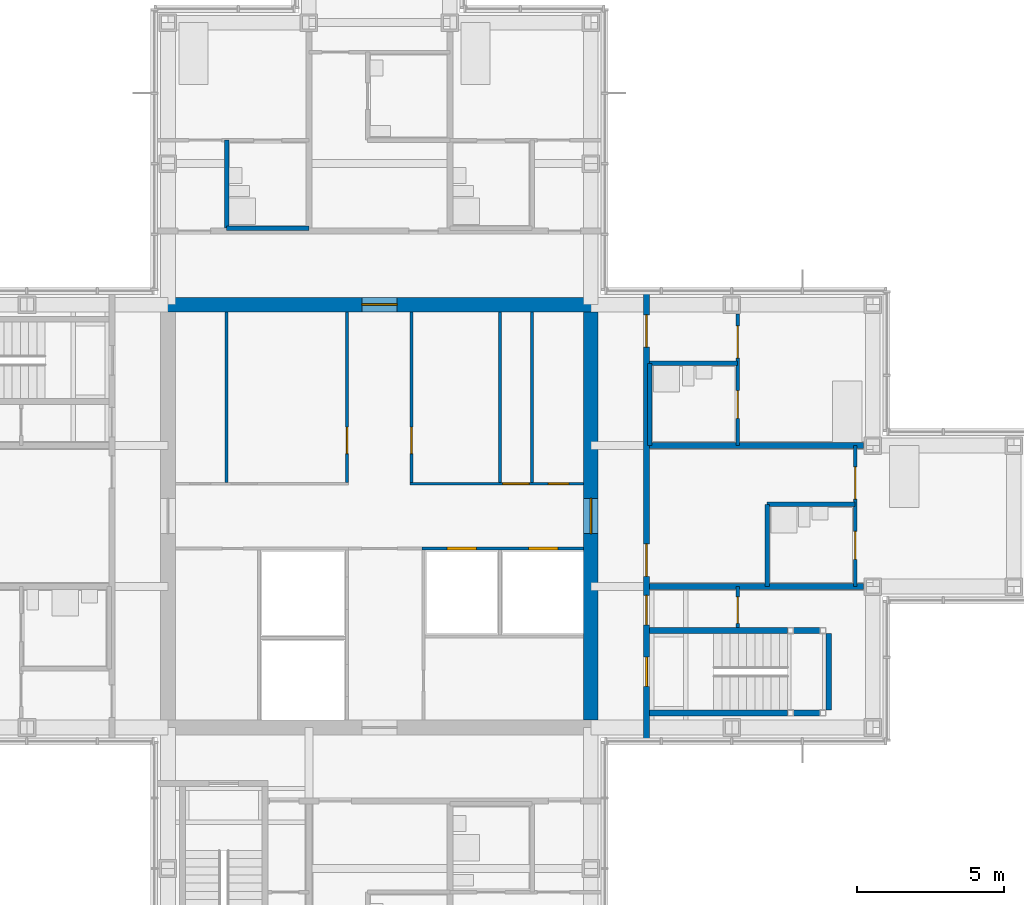
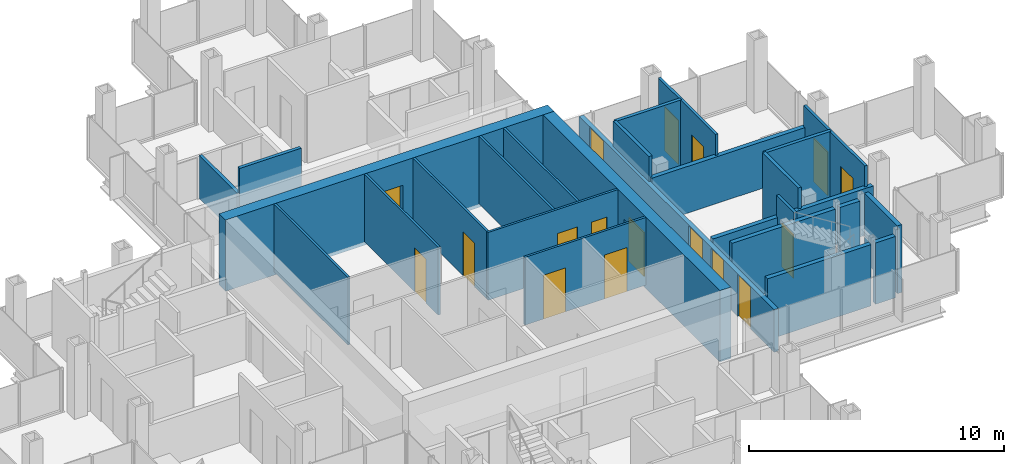
# One storey, part 13 of 17: 26 walls, 17 doors, 17 openings.
"""IFC4 building model written with IfcOpenShell, lengths in metres."""

import ifcopenshell
import ifcopenshell.guid

model = None  # the IFC model being written
_history = None  # IfcOwnerHistory: only IFC2X3 demands one
_inside = {}  # id of a spatial element -> (the spatial element, [elements in it])
_under = {}  # id of a project, library or spatial element -> (it, [spatial elements below it])
_declared = {}  # id of a project -> (the project, [libraries it declares])
_typed = {}  # id of a type object -> (the type object, [elements of that type])
_made_of = {}  # id of a material, layer set ... -> (it, [elements and type objects made of it])


def new_model(schema):
    """Start an empty IFC model of exactly this schema.

    Asked for "IFC4X3", IfcOpenShell would pick the latest addendum, in which some entities
    have other attributes; the version numbers below select the first issue.
    IFC2X3 requires an IfcOwnerHistory on every rooted entity: one is made here for all.
    """
    global model, _history
    if schema == "IFC4X3":
        model = ifcopenshell.file(schema_version=(4, 3, 0, 0))
    else:
        model = ifcopenshell.file(schema=schema)
    _inside.clear()
    _under.clear()
    _declared.clear()
    _typed.clear()
    _made_of.clear()
    _history = None
    if model.schema == "IFC2X3":
        org = make("IfcOrganization", Name="unknown")
        user = make(
            "IfcPersonAndOrganization",
            ThePerson=make("IfcPerson", FamilyName="unknown"),
            TheOrganization=org,
        )
        app = make(
            "IfcApplication",
            ApplicationDeveloper=org,
            Version="unknown",
            ApplicationFullName="unknown",
            ApplicationIdentifier="unknown",
        )
        _history = make(
            "IfcOwnerHistory",
            OwningUser=user,
            OwningApplication=app,
            ChangeAction="ADDED",
            CreationDate=0,
        )
    return model


def make(cls, **values):
    """One entity of the class cls with the attributes given. An attribute that is None is left unset."""
    return model.create_entity(
        cls, **{name: value for name, value in values.items() if value is not None}
    )


def rooted(cls, **values):
    """An entity with a GlobalId (a new one), such as an element, a storey or a relation."""
    return make(cls, GlobalId=ifcopenshell.guid.new(), OwnerHistory=_history, **values)


def si_unit(unit_type, name, prefix=None):
    """IfcSIUnit, for example si_unit("LENGTHUNIT", "METRE", prefix="MILLI")."""
    return make("IfcSIUnit", UnitType=unit_type, Prefix=prefix, Name=name)


def assignment(units):
    """IfcUnitAssignment: the units of a project."""
    return None if units is None else make("IfcUnitAssignment", Units=units)


def point(xyz):
    """IfcCartesianPoint."""
    return None if xyz is None else make("IfcCartesianPoint", Coordinates=xyz)


def direction(xyz):
    """IfcDirection."""
    return None if xyz is None else make("IfcDirection", DirectionRatios=xyz)


def frame(location, z_axis=None, x_axis=None):
    """IfcAxis2Placement3D, a coordinate frame: its origin and axes. An axis left out is left unset."""
    return make(
        "IfcAxis2Placement3D",
        Location=point(location),
        Axis=direction(z_axis),
        RefDirection=direction(x_axis),
    )


def frame_2d(location, x_axis=None):
    """IfcAxis2Placement2D, a coordinate frame in the plane: its origin and x axis."""
    return make(
        "IfcAxis2Placement2D", Location=point(location), RefDirection=direction(x_axis)
    )


def origin():
    """The frame at (0, 0, 0) with its axes left unset."""
    return frame((0.0, 0.0, 0.0))


def place(relative_to, where):
    """IfcLocalPlacement: puts the frame where relative to a parent placement (None: the world)."""
    return make(
        "IfcLocalPlacement", PlacementRelTo=relative_to, RelativePlacement=where
    )


def context(
    kind, dimensions, precision=None, world=None, true_north=None, identifier=None
):
    """IfcGeometricRepresentationContext, for example the 3D "Model" context."""
    return make(
        "IfcGeometricRepresentationContext",
        ContextIdentifier=identifier,
        ContextType=kind,
        CoordinateSpaceDimension=dimensions,
        Precision=precision,
        WorldCoordinateSystem=world,
        TrueNorth=true_north,
    )


def subcontext(parent, identifier, kind, view, scale=None):
    """IfcGeometricRepresentationSubContext, for example "Body" below "Model"."""
    return make(
        "IfcGeometricRepresentationSubContext",
        ContextIdentifier=identifier,
        ContextType=kind,
        ParentContext=parent,
        TargetScale=scale,
        TargetView=view,
    )


def project(units=None, contexts=None):
    """IfcProject with its units and contexts."""
    return rooted(
        "IfcProject",
        Name="project",
        RepresentationContexts=contexts,
        UnitsInContext=assignment(units),
    )


def spatial(cls, under=None, at=None, **own):
    """A site, building, storey or space (cls), placed at a placement, below another one or the project."""
    s = rooted(cls, ObjectPlacement=at, **own)
    if under is not None:
        _under.setdefault(under.id(), (under, []))[1].append(s)
    return s


def profile(cls, at=None, kind="AREA", **sizes):
    """A parametric profile (cls). Its sizes go by their IFC names, for example OverallWidth=200.0."""
    return make(cls, ProfileType=kind, Position=at, **sizes)


def rectangle(**sizes):
    """IfcRectangleProfileDef."""
    return profile("IfcRectangleProfileDef", **sizes)


def extrude(swept, where, along, depth):
    """IfcExtrudedAreaSolid: the profile swept, set in the frame where, extruded along a direction by depth."""
    return make(
        "IfcExtrudedAreaSolid",
        SweptArea=swept,
        Position=where,
        ExtrudedDirection=direction(along),
        Depth=depth,
    )


def shape(context_of_items, identifier, shape_type, items):
    """IfcShapeRepresentation: the items that make up one representation, for example the "Body"."""
    return make(
        "IfcShapeRepresentation",
        ContextOfItems=context_of_items,
        RepresentationIdentifier=identifier,
        RepresentationType=shape_type,
        Items=items,
    )


def material(Name=None, Category=None):
    """IfcMaterial."""
    return make("IfcMaterial", Name=Name, Category=Category)


def layer(
    of_material, thickness, ventilated=None, Name=None, Category=None, Priority=None
):
    """IfcMaterialLayer: one layer of a wall or slab, of a material (None: an air gap)."""
    return make(
        "IfcMaterialLayer",
        Material=of_material,
        LayerThickness=thickness,
        IsVentilated=ventilated,
        Name=Name,
        Category=Category,
        Priority=Priority,
    )


def layer_set(layers, Name=None):
    """IfcMaterialLayerSet."""
    return make("IfcMaterialLayerSet", MaterialLayers=layers, LayerSetName=Name)


def made_of(thing, what):
    """Note that an element or type object is made of a material, layer set ...; save() writes the relation."""
    if what is not None:
        _made_of.setdefault(what.id(), (what, []))[1].append(thing)
    return thing


def type_object(cls, material=None, **own):
    """A type object (cls), such as IfcWallType, which elements share."""
    return made_of(rooted(cls, **own), material)


def element(
    cls,
    number,
    at=None,
    inside=None,
    cuts=None,
    type_object=None,
    material=None,
    context=None,
    identifier="Body",
    shape_type=None,
    held_by="IfcProductDefinitionShape",
    body=None,
    shapes=None,
    **own,
):
    """One element of the class cls, such as IfcWall. Its Tag is "e" and its number.

    at: its placement. inside: the storey or other place that contains it. cuts: it is an
    opening in that element (IfcRelVoidsElement). A single representation is given by context,
    identifier, shape_type and body (its items); several are given by shapes. held_by: the class
    of the entity that holds the representations. save() writes the other relations.
    """
    e = rooted(cls, Tag="e%d" % number, ObjectPlacement=at, **own)
    if body is not None:
        shapes = [shape(context, identifier, shape_type, body)]
    if shapes is not None:
        e.Representation = make(held_by, Representations=shapes)
    if inside is not None:
        _inside.setdefault(inside.id(), (inside, []))[1].append(e)
    if cuts is not None:
        rooted(
            "IfcRelVoidsElement", RelatingBuildingElement=cuts, RelatedOpeningElement=e
        )
    if type_object is not None:
        _typed.setdefault(type_object.id(), (type_object, []))[1].append(e)
    return made_of(e, material)


def fill(opening, filler):
    """IfcRelFillsElement: the door or window that sits in an opening."""
    return rooted(
        "IfcRelFillsElement",
        RelatingOpeningElement=opening,
        RelatedBuildingElement=filler,
    )


def aggregate(whole, parts):
    """IfcRelAggregates: a whole, such as a stair, and the parts it consists of."""
    return rooted("IfcRelAggregates", RelatingObject=whole, RelatedObjects=parts)


def save(model, path):
    """Write the relations noted so far, then the file.

    IfcRelAggregates (storeys below a building ...), IfcRelContainedInSpatialStructure (elements
    in a storey), IfcRelDefinesByType, IfcRelAssociatesMaterial and IfcRelDeclares: one each for
    every whole, place, type object, material and project.
    """
    for whole, parts in _under.values():
        aggregate(whole, parts)
    for where, things in _inside.values():
        rooted(
            "IfcRelContainedInSpatialStructure",
            RelatedElements=things,
            RelatingStructure=where,
        )
    for kind, things in _typed.values():
        rooted("IfcRelDefinesByType", RelatedObjects=things, RelatingType=kind)
    for what, things in _made_of.values():
        rooted("IfcRelAssociatesMaterial", RelatedObjects=things, RelatingMaterial=what)
    for by, libraries in _declared.values():
        rooted("IfcRelDeclares", RelatingContext=by, RelatedDefinitions=libraries)
    model.write(path)


model = new_model("IFC4")

# Units and contexts
model_context = context("Model", 3, precision=1e-05, world=origin(), true_north=direction((0.0, 1.0)))
body_context = subcontext(model_context, "Body", "Model", "MODEL_VIEW")
ifc_project = project(units=[si_unit("LENGTHUNIT", "METRE"), si_unit("AREAUNIT", "SQUARE_METRE"), si_unit("VOLUMEUNIT", "CUBIC_METRE"), si_unit("PLANEANGLEUNIT", "RADIAN"), si_unit("MASSUNIT", "GRAM", prefix="KILO")], contexts=[model_context])

# Site, building, storey
site_placement = place(None, origin())
site = spatial("IfcSite", under=ifc_project, at=site_placement, CompositionType="ELEMENT")
building_placement = place(site_placement, origin())
building = spatial("IfcBuilding", under=site, at=building_placement, Name="Kvirike Care Tower", CompositionType="ELEMENT")
storey_placement = place(building_placement, frame((0.0, 0.0, 186.5)))
storey = spatial("IfcBuildingStorey", under=building, at=storey_placement, Name="L51", CompositionType="ELEMENT", Elevation=186.5)

# Walls
ifc_material_1 = material(Name="Moisture-resistant board partition", Category="gypsum")
ifc_layer_1 = layer(ifc_material_1, 0.14990234375)
ifc_layer_set_1 = layer_set([ifc_layer_1], Name="BATHROOM WALL 150")
wall_type_1 = type_object("IfcWallType", Name="BATHROOM WALL 150", PredefinedType="PARTITIONING", material=ifc_layer_set_1)
wall_1_placement = place(storey_placement, frame((16.39990234375, 48.800048828125, 0.0), z_axis=(0.0, 0.0, 1.0), x_axis=(0.0, -1.0, 0.0)))
element("IfcWall", 1, at=wall_1_placement, inside=storey, type_object=wall_type_1, Name="Bathroom Wall 150 L51", PredefinedType="PARTITIONING", context=body_context, shape_type="SweptSolid", body=[
    extrude(rectangle(XDim=3.0, YDim=0.14990234375, at=frame_2d((1.5, 0.0))), origin(), (0.0, 0.0, 1.0), 2.0400390625),
])
wall_2_placement = place(storey_placement, frame((19.199951171875, 45.800048828125, 0.0), z_axis=(0.0, 0.0, 1.0), x_axis=(-1.0, 0.0, 0.0)))
element("IfcWall", 2, at=wall_2_placement, inside=storey, type_object=wall_type_1, Name="Bathroom Wall 150 L51", PredefinedType="PARTITIONING", context=body_context, shape_type="SweptSolid", body=[
    extrude(rectangle(XDim=2.800048828125, YDim=0.14990234375, at=frame_2d((1.39990234375, 0.0))), origin(), (0.0, 0.0, 1.0), 3.25),
])
wall_3_placement = place(storey_placement, frame((37.800048828125, 36.39990234375, 0.0), z_axis=(0.0, 0.0, 1.0), x_axis=(-1.0, 0.0, 0.0)))
element("IfcWall", 3, at=wall_3_placement, inside=storey, type_object=wall_type_1, Name="Bathroom Wall 150 L51", PredefinedType="PARTITIONING", context=body_context, shape_type="SweptSolid", body=[
    extrude(rectangle(XDim=3.0, YDim=0.14990234375, at=frame_2d((1.5, 0.0))), origin(), (0.0, 0.0, 1.0), 3.25),
])
wall_4_placement = place(storey_placement, frame((34.800048828125, 33.60009765625, 0.0), z_axis=(0.0, 0.0, 1.0), x_axis=(0.0, 1.0, 0.0)))
element("IfcWall", 4, at=wall_4_placement, inside=storey, type_object=wall_type_1, Name="Bathroom Wall 150 L51", PredefinedType="PARTITIONING", context=body_context, shape_type="SweptSolid", body=[
    extrude(rectangle(XDim=2.7998046875, YDim=0.14990234375, at=frame_2d((1.39990234375, 0.0))), origin(), (0.0, 0.0, 1.0), 3.25),
])
wall_5_placement = place(storey_placement, frame((33.800048828125, 41.199951171875, 0.0), z_axis=(0.0, 0.0, 1.0), x_axis=(-1.0, 0.0, 0.0)))
element("IfcWall", 5, at=wall_5_placement, inside=storey, type_object=wall_type_1, Name="Bathroom Wall 150 L51", PredefinedType="PARTITIONING", context=body_context, shape_type="SweptSolid", body=[
    extrude(rectangle(XDim=3.0, YDim=0.14990234375, at=frame_2d((1.5, 0.0))), origin(), (0.0, 0.0, 1.0), 3.25),
])
wall_6_placement = place(storey_placement, frame((30.800048828125, 38.39990234375, 0.0), z_axis=(0.0, 0.0, 1.0), x_axis=(0.0, 1.0, 0.0)))
element("IfcWall", 6, at=wall_6_placement, inside=storey, type_object=wall_type_1, Name="Bathroom Wall 150 L51", PredefinedType="PARTITIONING", context=body_context, shape_type="SweptSolid", body=[
    extrude(rectangle(XDim=2.800048828125, YDim=0.14990234375, at=frame_2d((1.39990234375, 0.0))), origin(), (0.0, 0.0, 1.0), 3.25),
])

# Wall, opening, door
ifc_material_2 = material(Name="Concrete C45/55", Category="concrete")
ifc_layer_2 = layer(ifc_material_2, 0.5)
ifc_layer_set_2 = layer_set([ifc_layer_2], Name="CORE WALL 500 C45-55")
wall_type_2 = type_object("IfcWallType", Name="CORE WALL 500 C45-55", PredefinedType="SHEAR", material=ifc_layer_set_2)
wall_7_placement = place(storey_placement, frame((29.050048828125, 43.199951171875, -0.169921875), z_axis=(0.0, 0.0, 1.0), x_axis=(-1.0, 0.0, 0.0)))
wall_7 = element("IfcWall", 7, at=wall_7_placement, inside=storey, type_object=wall_type_2, Name="Core wall N L51", PredefinedType="SHEAR", context=body_context, shape_type="SweptSolid", body=[
    extrude(rectangle(XDim=14.900146484375, YDim=0.5, at=frame_2d((7.4501953125, 0.0))), origin(), (0.0, 0.0, 1.0), 3.419921875),
])
opening_1_placement = place(wall_7_placement, frame((6.85009765625, 0.0, 0.169921875)))
opening_1 = element("IfcOpeningElement", 8, at=opening_1_placement, cuts=wall_7, Name="Opening 51-053", PredefinedType="OPENING", context=body_context, shape_type="SweptSolid", body=[
    extrude(rectangle(XDim=1.199951171875, YDim=2.10009765625, at=frame_2d((0.60009765625, 1.050048828125))), frame((0.0, 0.260498046875, 0.0), z_axis=(0.0, -1.0, 0.0), x_axis=(1.0, 0.0, 0.0)), (0.0, 0.0, 1.0), 0.52099609375),
])
ifc_material_3 = material(Name="Timber door set", Category="wood")
door_type_1 = type_object("IfcDoorType", Name="CORE DOOR 1200", OperationType="SINGLE_SWING_LEFT", PredefinedType="DOOR", material=ifc_material_3)
door_1_placement = place(opening_1_placement, origin())
door_1 = element("IfcDoor", 9, at=door_1_placement, inside=storey, type_object=door_type_1, Name="Core door N L51", OperationType="SINGLE_SWING_LEFT", OverallHeight=2.10009765625, OverallWidth=1.199951171875, PredefinedType="DOOR", context=body_context, shape_type="SweptSolid", body=[
    extrude(rectangle(XDim=1.199951171875, YDim=2.10009765625, at=frame_2d((0.60009765625, 1.050048828125))), frame((0.0, 0.02685546875, 0.0), z_axis=(0.0, -1.0, 0.0), x_axis=(1.0, 0.0, 0.0)), (0.0, 0.0, 1.0), 0.053955078125),
])
fill(opening_1, door_1)

wall_8_placement = place(storey_placement, frame((28.800048828125, 29.050048828125, -0.169921875), z_axis=(0.0, 0.0, 1.0), x_axis=(0.0, 1.0, 0.0)))
wall_8 = element("IfcWall", 10, at=wall_8_placement, inside=storey, type_object=wall_type_2, Name="Core wall E L51", PredefinedType="SHEAR", context=body_context, shape_type="SweptSolid", body=[
    extrude(rectangle(XDim=13.89990234375, YDim=0.5, at=frame_2d((6.949951171875, 0.0))), origin(), (0.0, 0.0, 1.0), 3.419921875),
])
opening_2_placement = place(wall_8_placement, frame((6.35009765625, 0.0, 0.169921875)))
opening_2 = element("IfcOpeningElement", 11, at=opening_2_placement, cuts=wall_8, Name="Opening 51-052", PredefinedType="OPENING", context=body_context, shape_type="SweptSolid", body=[
    extrude(rectangle(XDim=1.199951171875, YDim=2.10009765625, at=frame_2d((0.60009765625, 1.050048828125))), frame((0.0, 0.260498046875, 0.0), z_axis=(0.0, -1.0, 0.0), x_axis=(1.0, 0.0, 0.0)), (0.0, 0.0, 1.0), 0.52099609375),
])
door_2_placement = place(opening_2_placement, origin())
door_2 = element("IfcDoor", 12, at=door_2_placement, inside=storey, type_object=door_type_1, Name="Core door E L51", OperationType="SINGLE_SWING_LEFT", OverallHeight=2.10009765625, OverallWidth=1.199951171875, PredefinedType="DOOR", context=body_context, shape_type="SweptSolid", body=[
    extrude(rectangle(XDim=1.199951171875, YDim=2.10009765625, at=frame_2d((0.60009765625, 1.050048828125))), frame((0.0, 0.02685546875, 0.0), z_axis=(0.0, -1.0, 0.0), x_axis=(1.0, 0.0, 0.0)), (0.0, 0.0, 1.0), 0.053955078125),
])
fill(opening_2, door_2)

# Wall, openings, doors
ifc_material_4 = material(Name="Plasterboard corridor wall", Category="gypsum")
ifc_layer_3 = layer(ifc_material_4, 0.199951171875)
ifc_layer_set_3 = layer_set([ifc_layer_3], Name="CORRIDOR WALL 200")
wall_type_3 = type_object("IfcWallType", Name="CORRIDOR WALL 200", PredefinedType="PARTITIONING", material=ifc_layer_set_3)
wall_9_placement = place(storey_placement, frame((30.699951171875, 28.35009765625, 0.0), z_axis=(0.0, 0.0, 1.0), x_axis=(0.0, 1.0, 0.0)))
wall_9 = element("IfcWall", 13, at=wall_9_placement, inside=storey, type_object=wall_type_3, Name="Corridor Wall 200 L51", PredefinedType="PARTITIONING", context=body_context, shape_type="SweptSolid", body=[
    extrude(rectangle(XDim=15.2998046875, YDim=0.199951171875, at=frame_2d((7.64990234375, 0.0))), origin(), (0.0, 0.0, 1.0), 2.0400390625),
])
opening_3_placement = place(wall_9_placement, frame((1.85009765625, 0.0, 0.0)))
opening_3 = element("IfcOpeningElement", 14, at=opening_3_placement, cuts=wall_9, Name="Opening 51-033", PredefinedType="OPENING", context=body_context, shape_type="SweptSolid", body=[
    extrude(rectangle(XDim=1.0, YDim=2.0, at=frame_2d((0.5, 1.0))), frame((0.0, 0.110595703125, 0.0), z_axis=(0.0, -1.0, 0.0), x_axis=(1.0, 0.0, 0.0)), (0.0, 0.0, 1.0), 0.220947265625),
])
opening_4_placement = place(wall_9_placement, frame((3.949951171875, 0.0, 0.0)))
opening_4 = element("IfcOpeningElement", 15, at=opening_4_placement, cuts=wall_9, Name="Opening 51-034", PredefinedType="OPENING", context=body_context, shape_type="SweptSolid", body=[
    extrude(rectangle(XDim=1.0, YDim=2.0, at=frame_2d((0.5, 1.0))), frame((0.0, 0.110595703125, 0.0), z_axis=(0.0, -1.0, 0.0), x_axis=(1.0, 0.0, 0.0)), (0.0, 0.0, 1.0), 0.220947265625),
])
opening_5_placement = place(wall_9_placement, frame((5.60009765625, 0.0, 0.0)))
opening_5 = element("IfcOpeningElement", 16, at=opening_5_placement, cuts=wall_9, Name="Opening 51-035", PredefinedType="OPENING", context=body_context, shape_type="SweptSolid", body=[
    extrude(rectangle(XDim=1.10009765625, YDim=2.0, at=frame_2d((0.550048828125, 1.0))), frame((0.0, 0.110595703125, 0.0), z_axis=(0.0, -1.0, 0.0), x_axis=(1.0, 0.0, 0.0)), (0.0, 0.0, 1.0), 0.220947265625),
])
opening_6_placement = place(wall_9_placement, frame((13.39990234375, 0.0, 0.0)))
opening_6 = element("IfcOpeningElement", 17, at=opening_6_placement, cuts=wall_9, Name="Opening 51-036", PredefinedType="OPENING", context=body_context, shape_type="SweptSolid", body=[
    extrude(rectangle(XDim=1.10009765625, YDim=2.0, at=frame_2d((0.550048828125, 1.0))), frame((0.0, 0.110595703125, 0.0), z_axis=(0.0, -1.0, 0.0), x_axis=(1.0, 0.0, 0.0)), (0.0, 0.0, 1.0), 0.220947265625),
])
ifc_material_5 = material(Name="Timber door set", Category="wood")
door_type_2 = type_object("IfcDoorType", Name="BEDROOM ENTRANCE DOOR 1100 x 2000", OperationType="SINGLE_SWING_LEFT", PredefinedType="DOOR", material=ifc_material_5)
door_3_placement = place(opening_5_placement, frame((1.10009765625, 0.0, 0.0), z_axis=(0.0, 0.0, 1.0), x_axis=(-1.0, 0.0, 0.0)))
door_3 = element("IfcDoor", 18, at=door_3_placement, inside=storey, type_object=door_type_2, Name="Memory care bedroom entrance", OperationType="SINGLE_SWING_LEFT", OverallHeight=2.0, OverallWidth=1.10009765625, PredefinedType="DOOR", context=body_context, shape_type="SweptSolid", body=[
    extrude(rectangle(XDim=1.10009765625, YDim=2.0, at=frame_2d((0.550048828125, 1.0))), frame((0.0, 0.02685546875, 0.0), z_axis=(0.0, -1.0, 0.0), x_axis=(1.0, 0.0, 0.0)), (0.0, 0.0, 1.0), 0.053955078125),
])
fill(opening_5, door_3)
door_4_placement = place(opening_6_placement, frame((1.10009765625, 0.0, 0.0), z_axis=(0.0, 0.0, 1.0), x_axis=(-1.0, 0.0, 0.0)))
door_4 = element("IfcDoor", 19, at=door_4_placement, inside=storey, type_object=door_type_2, Name="Memory care bedroom entrance", OperationType="SINGLE_SWING_RIGHT", OverallHeight=2.0, OverallWidth=1.10009765625, PredefinedType="DOOR", context=body_context, shape_type="SweptSolid", body=[
    extrude(rectangle(XDim=1.10009765625, YDim=2.0, at=frame_2d((0.550048828125, 1.0))), frame((0.0, 0.02685546875, 0.0), z_axis=(0.0, -1.0, 0.0), x_axis=(1.0, 0.0, 0.0)), (0.0, 0.0, 1.0), 0.053955078125),
])
fill(opening_6, door_4)
ifc_material_6 = material(Name="Timber door set", Category="wood")
door_type_3 = type_object("IfcDoorType", Name="FLAT ENTRANCE DOOR 1000 x 2000", OperationType="SINGLE_SWING_LEFT", PredefinedType="DOOR", material=ifc_material_6)
door_5_placement = place(opening_4_placement, frame((1.0, 0.0, 0.0), z_axis=(0.0, 0.0, 1.0), x_axis=(-1.0, 0.0, 0.0)))
door_5 = element("IfcDoor", 20, at=door_5_placement, inside=storey, type_object=door_type_3, Name="Activity room entrance", OperationType="SINGLE_SWING_LEFT", OverallHeight=2.0, OverallWidth=1.0, PredefinedType="DOOR", context=body_context, shape_type="SweptSolid", body=[
    extrude(rectangle(XDim=1.0, YDim=2.0, at=frame_2d((0.5, 1.0))), frame((0.0, 0.02685546875, 0.0), z_axis=(0.0, -1.0, 0.0), x_axis=(1.0, 0.0, 0.0)), (0.0, 0.0, 1.0), 0.053955078125),
])
fill(opening_4, door_5)
ifc_material_7 = material(Name="Timber door set", Category="wood")
door_type_4 = type_object("IfcDoorType", Name="STAIR DOOR 1000 x 2000", OperationType="SINGLE_SWING_LEFT", PredefinedType="DOOR", material=ifc_material_7)
door_6_placement = place(opening_3_placement, frame((1.0, 0.0, 0.0), z_axis=(0.0, 0.0, 1.0), x_axis=(-1.0, 0.0, 0.0)))
door_6 = element("IfcDoor", 21, at=door_6_placement, inside=storey, type_object=door_type_4, Name="Stair 2 door", OperationType="SINGLE_SWING_LEFT", OverallHeight=2.0, OverallWidth=1.0, PredefinedType="DOOR", context=body_context, shape_type="SweptSolid", body=[
    extrude(rectangle(XDim=1.0, YDim=2.0, at=frame_2d((0.5, 1.0))), frame((0.0, 0.031982421875, 0.0), z_axis=(0.0, -1.0, 0.0), x_axis=(1.0, 0.0, 0.0)), (0.0, 0.0, 1.0), 0.06396484375),
])
fill(opening_3, door_6)

# Wall, opening, door
ifc_material_8 = material(Name="Plasterboard partition", Category="gypsum")
ifc_layer_4 = layer(ifc_material_8, 0.1201171875)
ifc_layer_set_4 = layer_set([ifc_layer_4], Name="PARTITION 120")
wall_type_4 = type_object("IfcWallType", Name="PARTITION 120", PredefinedType="PARTITIONING", material=ifc_layer_set_4)
wall_10_placement = place(storey_placement, frame((33.800048828125, 32.199951171875, 0.0), z_axis=(0.0, 0.0, 1.0), x_axis=(0.0, 1.0, 0.0)))
wall_10 = element("IfcWall", 22, at=wall_10_placement, inside=storey, type_object=wall_type_4, Name="Partition 120 L51", PredefinedType="PARTITIONING", context=body_context, shape_type="SweptSolid", body=[
    extrude(rectangle(XDim=1.400146484375, YDim=0.1201171875, at=frame_2d((0.7001953125, 0.0))), origin(), (0.0, 0.0, 1.0), 3.25),
])
opening_7_placement = place(wall_10_placement, frame((0.14990234375, 0.0, 0.0)))
opening_7 = element("IfcOpeningElement", 23, at=opening_7_placement, cuts=wall_10, Name="Opening 51-028", PredefinedType="OPENING", context=body_context, shape_type="SweptSolid", body=[
    extrude(rectangle(XDim=0.89990234375, YDim=2.10009765625, at=frame_2d((0.449951171875, 1.050048828125))), frame((0.0, 0.070556640625, 0.0), z_axis=(0.0, -1.0, 0.0), x_axis=(1.0, 0.0, 0.0)), (0.0, 0.0, 1.0), 0.14111328125),
])
ifc_material_9 = material(Name="Timber door set", Category="wood")
door_type_5 = type_object("IfcDoorType", Name="INTERNAL DOOR 900", OperationType="SINGLE_SWING_LEFT", PredefinedType="DOOR", material=ifc_material_9)
door_7_placement = place(opening_7_placement, origin())
door_7 = element("IfcDoor", 24, at=door_7_placement, inside=storey, type_object=door_type_5, Name="Activity room door", OperationType="SINGLE_SWING_RIGHT", OverallHeight=2.10009765625, OverallWidth=0.89990234375, PredefinedType="DOOR", context=body_context, shape_type="SweptSolid", body=[
    extrude(rectangle(XDim=0.89990234375, YDim=2.10009765625, at=frame_2d((0.449951171875, 1.050048828125))), frame((0.0, 0.02197265625, 0.0), z_axis=(0.0, -1.0, 0.0), x_axis=(1.0, 0.0, 0.0)), (0.0, 0.0, 1.0), 0.0439453125),
])
fill(opening_7, door_7)

# Wall, openings, doors
wall_11_placement = place(storey_placement, frame((37.800048828125, 33.60009765625, 0.0), z_axis=(0.0, 0.0, 1.0), x_axis=(0.0, 1.0, 0.0)))
wall_11 = element("IfcWall", 25, at=wall_11_placement, inside=storey, type_object=wall_type_4, Name="Partition 120 L51", PredefinedType="PARTITIONING", context=body_context, shape_type="SweptSolid", body=[
    extrude(rectangle(XDim=4.7998046875, YDim=0.1201171875, at=frame_2d((2.39990234375, 0.0))), origin(), (0.0, 0.0, 1.0), 3.25),
])
opening_8_placement = place(wall_11_placement, frame((2.97509765625, 0.0, 0.0)))
opening_8 = element("IfcOpeningElement", 26, at=opening_8_placement, cuts=wall_11, Name="Opening 51-029", PredefinedType="OPENING", context=body_context, shape_type="SweptSolid", body=[
    extrude(rectangle(XDim=1.10009765625, YDim=2.10009765625, at=frame_2d((0.550048828125, 1.050048828125))), frame((0.0, 0.070556640625, 0.0), z_axis=(0.0, -1.0, 0.0), x_axis=(1.0, 0.0, 0.0)), (0.0, 0.0, 1.0), 0.14111328125),
])
opening_9_placement = place(wall_11_placement, frame((0.925048828125, 0.0, 0.0)))
opening_9 = element("IfcOpeningElement", 27, at=opening_9_placement, cuts=wall_11, Name="Opening 51-030", PredefinedType="OPENING", context=body_context, shape_type="SweptSolid", body=[
    extrude(rectangle(XDim=0.949951171875, YDim=2.10009765625, at=frame_2d((0.47509765625, 1.050048828125))), frame((0.0, 0.070556640625, 0.0), z_axis=(0.0, -1.0, 0.0), x_axis=(1.0, 0.0, 0.0)), (0.0, 0.0, 1.0), 0.14111328125),
])
ifc_material_10 = material(Name="Timber door set", Category="wood")
door_type_6 = type_object("IfcDoorType", Name="BEDROOM DOOR 1100", OperationType="SINGLE_SWING_LEFT", PredefinedType="DOOR", material=ifc_material_10)
door_8_placement = place(opening_8_placement, origin())
door_8 = element("IfcDoor", 28, at=door_8_placement, inside=storey, type_object=door_type_6, Name="Memory care bedroom door", OperationType="SINGLE_SWING_RIGHT", OverallHeight=2.10009765625, OverallWidth=1.10009765625, PredefinedType="DOOR", context=body_context, shape_type="SweptSolid", body=[
    extrude(rectangle(XDim=1.10009765625, YDim=2.10009765625, at=frame_2d((0.550048828125, 1.050048828125))), frame((0.0, 0.02197265625, 0.0), z_axis=(0.0, -1.0, 0.0), x_axis=(1.0, 0.0, 0.0)), (0.0, 0.0, 1.0), 0.0439453125),
])
fill(opening_8, door_8)
ifc_material_11 = material(Name="Timber door set", Category="wood")
door_type_7 = type_object("IfcDoorType", Name="EN-SUITE SLIDING DOOR 950", OperationType="SLIDING_TO_LEFT", PredefinedType="DOOR", material=ifc_material_11)
door_9_placement = place(opening_9_placement, origin())
door_9 = element("IfcDoor", 29, at=door_9_placement, inside=storey, type_object=door_type_7, Name="En-suite door", OperationType="SLIDING_TO_LEFT", OverallHeight=2.10009765625, OverallWidth=0.949951171875, PredefinedType="DOOR", context=body_context, shape_type="SweptSolid", body=[
    extrude(rectangle(XDim=0.949951171875, YDim=2.10009765625, at=frame_2d((0.47509765625, 1.050048828125))), frame((0.0, 0.02197265625, 0.0), z_axis=(0.0, -1.0, 0.0), x_axis=(1.0, 0.0, 0.0)), (0.0, 0.0, 1.0), 0.0439453125),
])
fill(opening_9, door_9)

wall_12_placement = place(storey_placement, frame((33.800048828125, 38.39990234375, 0.0), z_axis=(0.0, 0.0, 1.0), x_axis=(0.0, 1.0, 0.0)))
wall_12 = element("IfcWall", 30, at=wall_12_placement, inside=storey, type_object=wall_type_4, Name="Partition 120 L51", PredefinedType="PARTITIONING", context=body_context, shape_type="SweptSolid", body=[
    extrude(rectangle(XDim=4.47998046875, YDim=0.1201171875, at=frame_2d((2.239990234375, 0.0))), origin(), (0.0, 0.0, 1.0), 3.25),
])
opening_10_placement = place(wall_12_placement, frame((2.97509765625, 0.0, 0.0)))
opening_10 = element("IfcOpeningElement", 31, at=opening_10_placement, cuts=wall_12, Name="Opening 51-031", PredefinedType="OPENING", context=body_context, shape_type="SweptSolid", body=[
    extrude(rectangle(XDim=1.10009765625, YDim=2.10009765625, at=frame_2d((0.550048828125, 1.050048828125))), frame((0.0, 0.070556640625, 0.0), z_axis=(0.0, -1.0, 0.0), x_axis=(1.0, 0.0, 0.0)), (0.0, 0.0, 1.0), 0.14111328125),
])
opening_11_placement = place(wall_12_placement, frame((0.925048828125, 0.0, 0.0)))
opening_11 = element("IfcOpeningElement", 32, at=opening_11_placement, cuts=wall_12, Name="Opening 51-032", PredefinedType="OPENING", context=body_context, shape_type="SweptSolid", body=[
    extrude(rectangle(XDim=0.949951171875, YDim=2.10009765625, at=frame_2d((0.47509765625, 1.050048828125))), frame((0.0, 0.070556640625, 0.0), z_axis=(0.0, -1.0, 0.0), x_axis=(1.0, 0.0, 0.0)), (0.0, 0.0, 1.0), 0.14111328125),
])
door_10_placement = place(opening_10_placement, origin())
door_10 = element("IfcDoor", 33, at=door_10_placement, inside=storey, type_object=door_type_6, Name="Memory care bedroom door", OperationType="SINGLE_SWING_RIGHT", OverallHeight=2.10009765625, OverallWidth=1.10009765625, PredefinedType="DOOR", context=body_context, shape_type="SweptSolid", body=[
    extrude(rectangle(XDim=1.10009765625, YDim=2.10009765625, at=frame_2d((0.550048828125, 1.050048828125))), frame((0.0, 0.02197265625, 0.0), z_axis=(0.0, -1.0, 0.0), x_axis=(1.0, 0.0, 0.0)), (0.0, 0.0, 1.0), 0.0439453125),
])
fill(opening_10, door_10)
door_11_placement = place(opening_11_placement, origin())
door_11 = element("IfcDoor", 34, at=door_11_placement, inside=storey, type_object=door_type_7, Name="En-suite door", OperationType="SLIDING_TO_LEFT", OverallHeight=2.10009765625, OverallWidth=0.949951171875, PredefinedType="DOOR", context=body_context, shape_type="SweptSolid", body=[
    extrude(rectangle(XDim=0.949951171875, YDim=2.10009765625, at=frame_2d((0.47509765625, 1.050048828125))), frame((0.0, 0.02197265625, 0.0), z_axis=(0.0, -1.0, 0.0), x_axis=(1.0, 0.0, 0.0)), (0.0, 0.0, 1.0), 0.0439453125),
])
fill(opening_11, door_11)

# Walls
ifc_material_12 = material(Name="Plasterboard party wall", Category="gypsum")
ifc_layer_5 = layer(ifc_material_12, 0.199951171875)
ifc_layer_set_5 = layer_set([ifc_layer_5], Name="PARTY WALL 200")
wall_type_5 = type_object("IfcWallType", Name="PARTY WALL 200", PredefinedType="PARTITIONING", material=ifc_layer_set_5)
for number, where, z_axis, x_axis, name in (
    (35, (38.080078125, 33.60009765625, 0.0), (0.0, 0.0, 1.0), (-1.0, 0.0, 0.0), "Party Wall 200 L51"),
    (36, (38.080078125, 38.39990234375, 0.0), (0.0, 0.0, 1.0), (-1.0, 0.0, 0.0), "Party Wall 200 L51"),
):
    element("IfcWall", number, at=place(storey_placement, frame(where, z_axis=z_axis, x_axis=x_axis)), inside=storey, type_object=wall_type_5, Name=name, PredefinedType="PARTITIONING", context=body_context, shape_type="SweptSolid", body=[
        extrude(rectangle(XDim=7.280029296875, YDim=0.199951171875, at=frame_2d((3.64013671875, 0.0))), origin(), (0.0, 0.0, 1.0), 2.239990234375),
    ])
ifc_material_13 = material(Name="Gypsum shaft wall system", Category="gypsum")
ifc_layer_6 = layer(ifc_material_13, 0.10009765625)
ifc_layer_set_6 = layer_set([ifc_layer_6], Name="SHAFT WALL 100")
wall_type_6 = type_object("IfcWallType", Name="SHAFT WALL 100", PredefinedType="SOLIDWALL", material=ifc_layer_set_6)
for number, where, z_axis, x_axis, name in (
    (37, (16.39990234375, 37.14990234375, 0.0), (0.0, 0.0, 1.0), (0.0, 1.0, 0.0), "Shaft Wall 100 L51"),
    (38, (26.800048828125, 37.14990234375, 0.0), (0.0, 0.0, 1.0), (0.0, 1.0, 0.0), "Shaft Wall 100 L51"),
):
    element("IfcWall", number, at=place(storey_placement, frame(where, z_axis=z_axis, x_axis=x_axis)), inside=storey, type_object=wall_type_6, Name=name, PredefinedType="SOLIDWALL", context=body_context, shape_type="SweptSolid", body=[
        extrude(rectangle(XDim=5.800048828125, YDim=0.10009765625, at=frame_2d((2.89990234375, 0.0))), origin(), (0.0, 0.0, 1.0), 3.25),
    ])

# Wall, opening, door
wall_13_placement = place(storey_placement, frame((20.5, 37.14990234375, 0.0), z_axis=(0.0, 0.0, 1.0), x_axis=(0.0, 1.0, 0.0)))
wall_13 = element("IfcWall", 39, at=wall_13_placement, inside=storey, type_object=wall_type_6, Name="Shaft Wall 100 L51", PredefinedType="SOLIDWALL", context=body_context, shape_type="SweptSolid", body=[
    extrude(rectangle(XDim=5.800048828125, YDim=0.10009765625, at=frame_2d((2.89990234375, 0.0))), origin(), (0.0, 0.0, 1.0), 3.25),
])
opening_12_placement = place(wall_13_placement, frame((0.97509765625, 0.0, 0.0)))
opening_12 = element("IfcOpeningElement", 40, at=opening_12_placement, cuts=wall_13, Name="Opening 51-039", PredefinedType="OPENING", context=body_context, shape_type="SweptSolid", body=[
    extrude(rectangle(XDim=0.89990234375, YDim=2.10009765625, at=frame_2d((0.449951171875, 1.050048828125))), frame((0.0, 0.060546875, 0.0), z_axis=(0.0, -1.0, 0.0), x_axis=(1.0, 0.0, 0.0)), (0.0, 0.0, 1.0), 0.12109375),
])
ifc_material_14 = material(Name="Timber door set", Category="wood")
door_type_8 = type_object("IfcDoorType", Name="STORE DOOR 900", OperationType="SINGLE_SWING_LEFT", PredefinedType="DOOR", material=ifc_material_14)
door_12_placement = place(opening_12_placement, origin())
door_12 = element("IfcDoor", 41, at=door_12_placement, inside=storey, type_object=door_type_8, Name="Housekeeping office door", OperationType="SINGLE_SWING_RIGHT", OverallHeight=2.10009765625, OverallWidth=0.89990234375, PredefinedType="DOOR", context=body_context, shape_type="SweptSolid", body=[
    extrude(rectangle(XDim=0.89990234375, YDim=2.10009765625, at=frame_2d((0.449951171875, 1.050048828125))), frame((0.0, 0.02685546875, 0.0), z_axis=(0.0, -1.0, 0.0), x_axis=(1.0, 0.0, 0.0)), (0.0, 0.0, 1.0), 0.053955078125),
])
fill(opening_12, door_12)

wall_14_placement = place(storey_placement, frame((22.699951171875, 37.14990234375, 0.0), z_axis=(0.0, 0.0, 1.0), x_axis=(0.0, 1.0, 0.0)))
wall_14 = element("IfcWall", 42, at=wall_14_placement, inside=storey, type_object=wall_type_6, Name="Shaft Wall 100 L51", PredefinedType="SOLIDWALL", context=body_context, shape_type="SweptSolid", body=[
    extrude(rectangle(XDim=5.800048828125, YDim=0.10009765625, at=frame_2d((2.89990234375, 0.0))), origin(), (0.0, 0.0, 1.0), 3.25),
])
opening_13_placement = place(wall_14_placement, frame((0.97509765625, 0.0, 0.0)))
opening_13 = element("IfcOpeningElement", 43, at=opening_13_placement, cuts=wall_14, Name="Opening 51-040", PredefinedType="OPENING", context=body_context, shape_type="SweptSolid", body=[
    extrude(rectangle(XDim=0.89990234375, YDim=2.10009765625, at=frame_2d((0.449951171875, 1.050048828125))), frame((0.0, 0.060546875, 0.0), z_axis=(0.0, -1.0, 0.0), x_axis=(1.0, 0.0, 0.0)), (0.0, 0.0, 1.0), 0.12109375),
])
door_13_placement = place(opening_13_placement, frame((0.89990234375, 0.0, 0.0), z_axis=(0.0, 0.0, 1.0), x_axis=(-1.0, 0.0, 0.0)))
door_13 = element("IfcDoor", 44, at=door_13_placement, inside=storey, type_object=door_type_8, Name="Staff room door", OperationType="SINGLE_SWING_LEFT", OverallHeight=2.10009765625, OverallWidth=0.89990234375, PredefinedType="DOOR", context=body_context, shape_type="SweptSolid", body=[
    extrude(rectangle(XDim=0.89990234375, YDim=2.10009765625, at=frame_2d((0.449951171875, 1.050048828125))), frame((0.0, 0.02685546875, 0.0), z_axis=(0.0, -1.0, 0.0), x_axis=(1.0, 0.0, 0.0)), (0.0, 0.0, 1.0), 0.053955078125),
])
fill(opening_13, door_13)

# Wall, openings, doors
wall_15_placement = place(storey_placement, frame((23.050048828125, 34.89990234375, 0.0), z_axis=(0.0, 0.0, 1.0), x_axis=(1.0, 0.0, 0.0)))
wall_15 = element("IfcWall", 45, at=wall_15_placement, inside=storey, type_object=wall_type_6, Name="Shaft Wall 100 L51", PredefinedType="SOLIDWALL", context=body_context, shape_type="SweptSolid", body=[
    extrude(rectangle(XDim=5.5, YDim=0.10009765625, at=frame_2d((2.75, 0.0))), origin(), (0.0, 0.0, 1.0), 3.25),
])
opening_14_placement = place(wall_15_placement, frame((0.85009765625, 0.0, 0.0)))
opening_14 = element("IfcOpeningElement", 46, at=opening_14_placement, cuts=wall_15, Name="Opening 51-043", PredefinedType="OPENING", context=body_context, shape_type="SweptSolid", body=[
    extrude(rectangle(XDim=1.0, YDim=2.10009765625, at=frame_2d((0.5, 1.050048828125))), frame((0.0, 0.060546875, 0.0), z_axis=(0.0, -1.0, 0.0), x_axis=(1.0, 0.0, 0.0)), (0.0, 0.0, 1.0), 0.12109375),
])
opening_15_placement = place(wall_15_placement, frame((3.625, 0.0, 0.0)))
opening_15 = element("IfcOpeningElement", 47, at=opening_15_placement, cuts=wall_15, Name="Opening 51-044", PredefinedType="OPENING", context=body_context, shape_type="SweptSolid", body=[
    extrude(rectangle(XDim=1.0, YDim=2.10009765625, at=frame_2d((0.5, 1.050048828125))), frame((0.0, 0.060546875, 0.0), z_axis=(0.0, -1.0, 0.0), x_axis=(1.0, 0.0, 0.0)), (0.0, 0.0, 1.0), 0.12109375),
])
ifc_material_15 = material(Name="Aluminium door frame", Category="aluminium")
door_type_9 = type_object("IfcDoorType", Name="LIFT LANDING DOOR 1000", OperationType="SLIDING_TO_LEFT", PredefinedType="DOOR", material=ifc_material_15)
door_14_placement = place(opening_14_placement, origin())
door_14 = element("IfcDoor", 48, at=door_14_placement, inside=storey, type_object=door_type_9, Name="Lift P5 landing door", OperationType="SLIDING_TO_LEFT", OverallHeight=2.10009765625, OverallWidth=1.0, PredefinedType="DOOR", context=body_context, shape_type="SweptSolid", body=[
    extrude(rectangle(XDim=1.0, YDim=2.10009765625, at=frame_2d((0.5, 1.050048828125))), frame((0.0, 0.0498046875, 0.0), z_axis=(0.0, -1.0, 0.0), x_axis=(1.0, 0.0, 0.0)), (0.0, 0.0, 1.0), 0.099609375),
])
fill(opening_14, door_14)
door_15_placement = place(opening_15_placement, origin())
door_15 = element("IfcDoor", 49, at=door_15_placement, inside=storey, type_object=door_type_9, Name="Lift P6 landing door", OperationType="SLIDING_TO_LEFT", OverallHeight=2.10009765625, OverallWidth=1.0, PredefinedType="DOOR", context=body_context, shape_type="SweptSolid", body=[
    extrude(rectangle(XDim=1.0, YDim=2.10009765625, at=frame_2d((0.5, 1.050048828125))), frame((0.0, 0.0498046875, 0.0), z_axis=(0.0, -1.0, 0.0), x_axis=(1.0, 0.0, 0.0)), (0.0, 0.0, 1.0), 0.099609375),
])
fill(opening_15, door_15)

wall_16_placement = place(storey_placement, frame((22.64990234375, 37.10009765625, 0.0), z_axis=(0.0, 0.0, 1.0), x_axis=(1.0, 0.0, 0.0)))
wall_16 = element("IfcWall", 50, at=wall_16_placement, inside=storey, type_object=wall_type_6, Name="Shaft Wall 100 L51", PredefinedType="SOLIDWALL", context=body_context, shape_type="SweptSolid", body=[
    extrude(rectangle(XDim=5.900146484375, YDim=0.10009765625, at=frame_2d((2.9501953125, 0.0))), origin(), (0.0, 0.0, 1.0), 3.25),
])
opening_16_placement = place(wall_16_placement, frame((3.14990234375, 0.0, 0.0)))
opening_16 = element("IfcOpeningElement", 51, at=opening_16_placement, cuts=wall_16, Name="Opening 51-047", PredefinedType="OPENING", context=body_context, shape_type="SweptSolid", body=[
    extrude(rectangle(XDim=0.89990234375, YDim=2.10009765625, at=frame_2d((0.449951171875, 1.050048828125))), frame((0.0, 0.060546875, 0.0), z_axis=(0.0, -1.0, 0.0), x_axis=(1.0, 0.0, 0.0)), (0.0, 0.0, 1.0), 0.12109375),
])
opening_17_placement = place(wall_16_placement, frame((4.699951171875, 0.0, 0.0)))
opening_17 = element("IfcOpeningElement", 52, at=opening_17_placement, cuts=wall_16, Name="Opening 51-048", PredefinedType="OPENING", context=body_context, shape_type="SweptSolid", body=[
    extrude(rectangle(XDim=0.699951171875, YDim=2.10009765625, at=frame_2d((0.35009765625, 1.050048828125))), frame((0.0, 0.060546875, 0.0), z_axis=(0.0, -1.0, 0.0), x_axis=(1.0, 0.0, 0.0)), (0.0, 0.0, 1.0), 0.12109375),
])
ifc_material_16 = material(Name="Timber door set", Category="wood")
door_type_10 = type_object("IfcDoorType", Name="RISER DOOR 700", OperationType="SINGLE_SWING_LEFT", PredefinedType="DOOR", material=ifc_material_16)
door_16_placement = place(opening_17_placement, origin())
door_16 = element("IfcDoor", 53, at=door_16_placement, inside=storey, type_object=door_type_10, Name="Riser door", OperationType="SINGLE_SWING_LEFT", OverallHeight=2.10009765625, OverallWidth=0.699951171875, PredefinedType="DOOR", context=body_context, shape_type="SweptSolid", body=[
    extrude(rectangle(XDim=0.699951171875, YDim=2.10009765625, at=frame_2d((0.35009765625, 1.050048828125))), frame((0.0, 0.02685546875, 0.0), z_axis=(0.0, -1.0, 0.0), x_axis=(1.0, 0.0, 0.0)), (0.0, 0.0, 1.0), 0.053955078125),
])
fill(opening_17, door_16)
door_17_placement = place(opening_16_placement, origin())
door_17 = element("IfcDoor", 54, at=door_17_placement, inside=storey, type_object=door_type_8, Name="Records store door", OperationType="SINGLE_SWING_LEFT", OverallHeight=2.10009765625, OverallWidth=0.89990234375, PredefinedType="DOOR", context=body_context, shape_type="SweptSolid", body=[
    extrude(rectangle(XDim=0.89990234375, YDim=2.10009765625, at=frame_2d((0.449951171875, 1.050048828125))), frame((0.0, 0.02685546875, 0.0), z_axis=(0.0, -1.0, 0.0), x_axis=(1.0, 0.0, 0.0)), (0.0, 0.0, 1.0), 0.053955078125),
])
fill(opening_16, door_17)

# Walls
wall_17_placement = place(storey_placement, frame((25.699951171875, 37.14990234375, 0.0), z_axis=(0.0, 0.0, 1.0), x_axis=(0.0, 1.0, 0.0)))
element("IfcWall", 55, at=wall_17_placement, inside=storey, type_object=wall_type_6, Name="Shaft Wall 100 L51", PredefinedType="SOLIDWALL", context=body_context, shape_type="SweptSolid", body=[
    extrude(rectangle(XDim=5.800048828125, YDim=0.10009765625, at=frame_2d((2.89990234375, 0.0))), origin(), (0.0, 0.0, 1.0), 3.25),
])
ifc_material_17 = material(Name="Concrete C40/50", Category="concrete")
ifc_layer_7 = layer(ifc_material_17, 0.199951171875)
ifc_layer_set_7 = layer_set([ifc_layer_7], Name="STAIR WALL 200")
wall_type_7 = type_object("IfcWallType", Name="STAIR WALL 200", PredefinedType="SOLIDWALL", material=ifc_layer_set_7)
wall_18_placement = place(storey_placement, frame((36.60009765625, 29.300048828125, 0.0), z_axis=(0.0, 0.0, 1.0), x_axis=(-1.0, 0.0, 0.0)))
element("IfcWall", 56, at=wall_18_placement, inside=storey, type_object=wall_type_7, Name="Stair Wall 200 L51", PredefinedType="SOLIDWALL", context=body_context, shape_type="SweptSolid", body=[
    extrude(rectangle(XDim=0.900146484375, YDim=0.199951171875, at=frame_2d((0.4501953125, 0.0))), origin(), (0.0, 0.0, 1.0), 2.93994140625),
])
wall_19_placement = place(storey_placement, frame((35.5, 29.300048828125, 0.0), z_axis=(0.0, 0.0, 1.0), x_axis=(-1.0, 0.0, 0.0)))
element("IfcWall", 57, at=wall_19_placement, inside=storey, type_object=wall_type_7, Name="Stair Wall 200 L51", PredefinedType="SOLIDWALL", context=body_context, shape_type="SweptSolid", body=[
    extrude(rectangle(XDim=4.699951171875, YDim=0.199951171875, at=frame_2d((2.35009765625, 0.0))), origin(), (0.0, 0.0, 1.0), 2.93994140625),
])
wall_20_placement = place(storey_placement, frame((36.60009765625, 32.10009765625, 0.0), z_axis=(0.0, 0.0, 1.0), x_axis=(-1.0, 0.0, 0.0)))
element("IfcWall", 58, at=wall_20_placement, inside=storey, type_object=wall_type_7, Name="Stair Wall 200 L51", PredefinedType="SOLIDWALL", context=body_context, shape_type="SweptSolid", body=[
    extrude(rectangle(XDim=0.900146484375, YDim=0.199951171875, at=frame_2d((0.4501953125, 0.0))), origin(), (0.0, 0.0, 1.0), 2.93994140625),
])
wall_21_placement = place(storey_placement, frame((35.5, 32.10009765625, 0.0), z_axis=(0.0, 0.0, 1.0), x_axis=(-1.0, 0.0, 0.0)))
element("IfcWall", 59, at=wall_21_placement, inside=storey, type_object=wall_type_7, Name="Stair Wall 200 L51", PredefinedType="SOLIDWALL", context=body_context, shape_type="SweptSolid", body=[
    extrude(rectangle(XDim=4.699951171875, YDim=0.199951171875, at=frame_2d((2.35009765625, 0.0))), origin(), (0.0, 0.0, 1.0), 2.93994140625),
])
wall_22_placement = place(storey_placement, frame((36.89990234375, 29.39990234375, 0.0), z_axis=(0.0, 0.0, 1.0), x_axis=(0.0, 1.0, 0.0)))
element("IfcWall", 60, at=wall_22_placement, inside=storey, type_object=wall_type_7, Name="Stair Wall 200 L51", PredefinedType="SOLIDWALL", context=body_context, shape_type="SweptSolid", body=[
    extrude(rectangle(XDim=2.60009765625, YDim=0.199951171875, at=frame_2d((1.300048828125, 0.0))), origin(), (0.0, 0.0, 1.0), 3.25),
])

save(model, "model.ifc")
